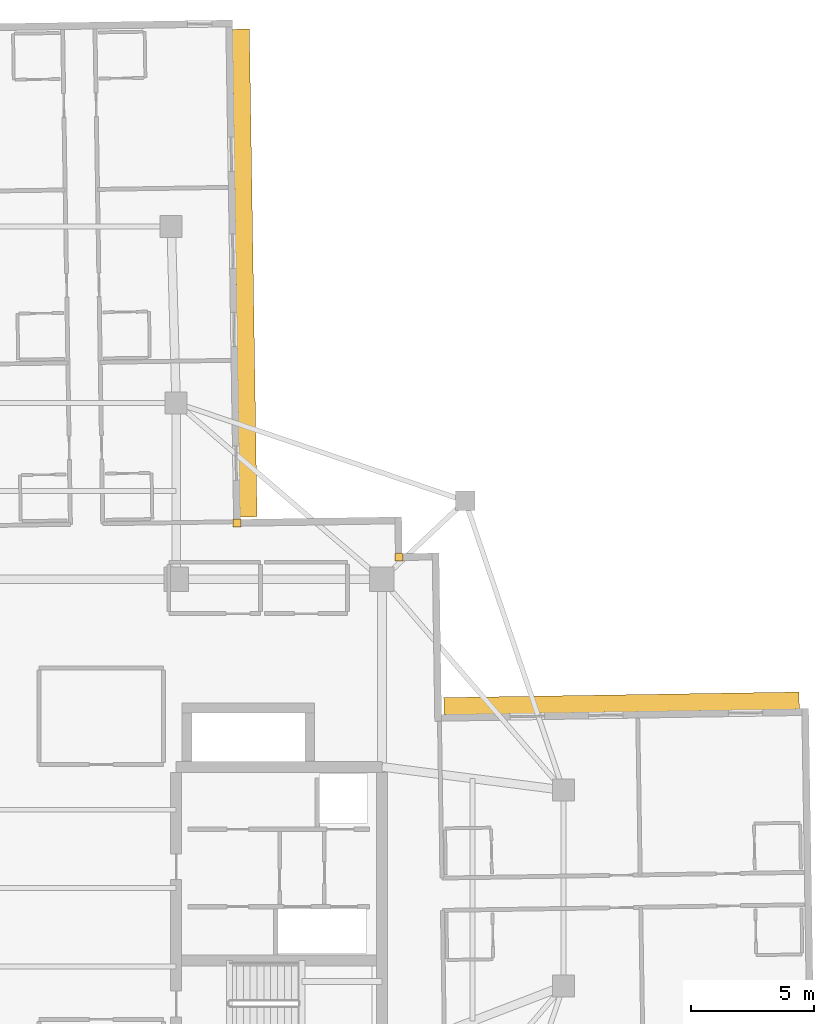
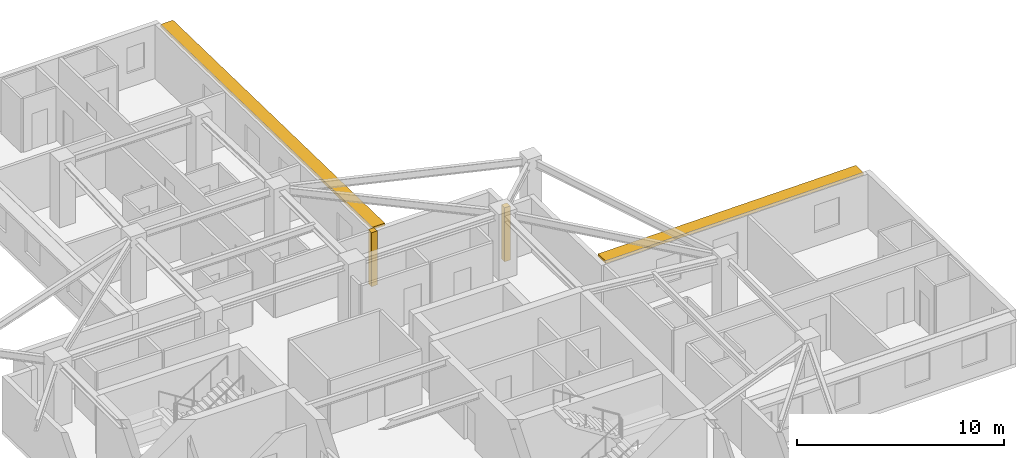
# One storey, part 13 of 13: 2 coverings, 2 shading devices.
"""IFC4 building model written with IfcOpenShell, lengths in metres."""

from ifc_helpers import new_model, si_unit, direction, frame, origin, origin_2d, place, context, subcontext, project, spatial, rectangle, extrude, material, layer, layer_set, type_object, element, save


model = new_model("IFC4")

# Units and contexts
model_context = context("Model", 3, precision=1e-05, world=origin(), true_north=direction((0.0, 1.0)))
body_context = subcontext(model_context, "Body", "Model", "MODEL_VIEW")
ifc_project = project(units=[si_unit("LENGTHUNIT", "METRE"), si_unit("AREAUNIT", "SQUARE_METRE"), si_unit("VOLUMEUNIT", "CUBIC_METRE"), si_unit("PLANEANGLEUNIT", "RADIAN"), si_unit("MASSUNIT", "GRAM", prefix="KILO")], contexts=[model_context])

# Site, building, storey
site_placement = place(None, origin())
site = spatial("IfcSite", under=ifc_project, at=site_placement, CompositionType="ELEMENT")
building_placement = place(site_placement, origin())
building = spatial("IfcBuilding", under=site, at=building_placement, Name="Qingluan Cross Belvedere", CompositionType="ELEMENT")
storey_placement = place(building_placement, frame((0.0, 0.0, 220.800048828125)))
storey = spatial("IfcBuildingStorey", under=building, at=storey_placement, Name="L55", CompositionType="ELEMENT", Elevation=220.800048828125)

# Coverings
ifc_material_1 = material(Name="Precast concrete C45", Category="concrete")
ifc_layer_1 = layer(ifc_material_1, 0.1201171875, Name="ConcreteSpandrelCladding_120")
ifc_layer_set_1 = layer_set([ifc_layer_1], Name="Precast concrete C45")
covering_type = type_object("IfcCoveringType", Name="ConcreteSpandrelCladding_120", PredefinedType="CLADDING", material=ifc_layer_set_1)
for number, where, z_axis, x_axis, name in (
    (1, (13.089599609375, 13.50732421875, 0.0), (0.0, 0.0, 1.0), (0.999876632482, 0.015707317312, 0.0), "Corner closure L55-NE1"),
    (2, (6.48681640625, 14.90380859375, 0.0), (0.0, 0.0, 1.0), (0.999876632482, 0.015707317312, 0.0), "Corner closure L55-NE2"),
):
    element("IfcCovering", number, at=place(storey_placement, frame(where, z_axis=z_axis, x_axis=x_axis)), inside=storey, type_object=covering_type, Name=name, PredefinedType="CLADDING", context=body_context, shape_type="SweptSolid", body=[
        extrude(rectangle(XDim=0.320068359375, YDim=0.320068359375, at=origin_2d()), origin(), (0.0, 0.0, 1.0), 3.179931640625),
    ])

# Shading devices
ifc_material_2 = material(Name="Precast concrete C45", Category="concrete")
ifc_layer_2 = layer(ifc_material_2, 0.139892578125, Name="ConcreteSunshadeBand_700")
ifc_layer_set_2 = layer_set([ifc_layer_2], Name="Precast concrete C45")
shading_device_type = type_object("IfcShadingDeviceType", Name="ConcreteSunshadeBand_700", PredefinedType="USERDEFINED", material=ifc_layer_set_2)
shading_device_1_placement = place(storey_placement, frame((22.17431640625, 7.539306640625, 3.0), z_axis=(0.0, 0.0, 1.0), x_axis=(-0.999876630106, -0.015707468526, 0.0)))
element("IfcShadingDevice", 3, at=shading_device_1_placement, inside=storey, type_object=shading_device_type, Name="Concrete SUNSHADE L55-EB", ObjectType="SUNSHADE", PredefinedType="USERDEFINED", context=body_context, shape_type="SweptSolid", body=[
    extrude(rectangle(XDim=14.5, YDim=0.699951171875, at=origin_2d()), origin(), (0.0, 0.0, 1.0), 0.159912109375),
])
shading_device_2_placement = place(storey_placement, frame((6.796630859375, 25.099853515625, 3.0), z_axis=(0.0, 0.0, 1.0), x_axis=(-0.015706483741, 0.999876645576, 0.0)))
element("IfcShadingDevice", 4, at=shading_device_2_placement, inside=storey, type_object=shading_device_type, Name="Concrete SUNSHADE L55-NA", ObjectType="SUNSHADE", PredefinedType="USERDEFINED", context=body_context, shape_type="SweptSolid", body=[
    extrude(rectangle(XDim=19.89990234375, YDim=0.699951171875, at=origin_2d()), origin(), (0.0, 0.0, 1.0), 0.159912109375),
])

save(model, "model.ifc")
